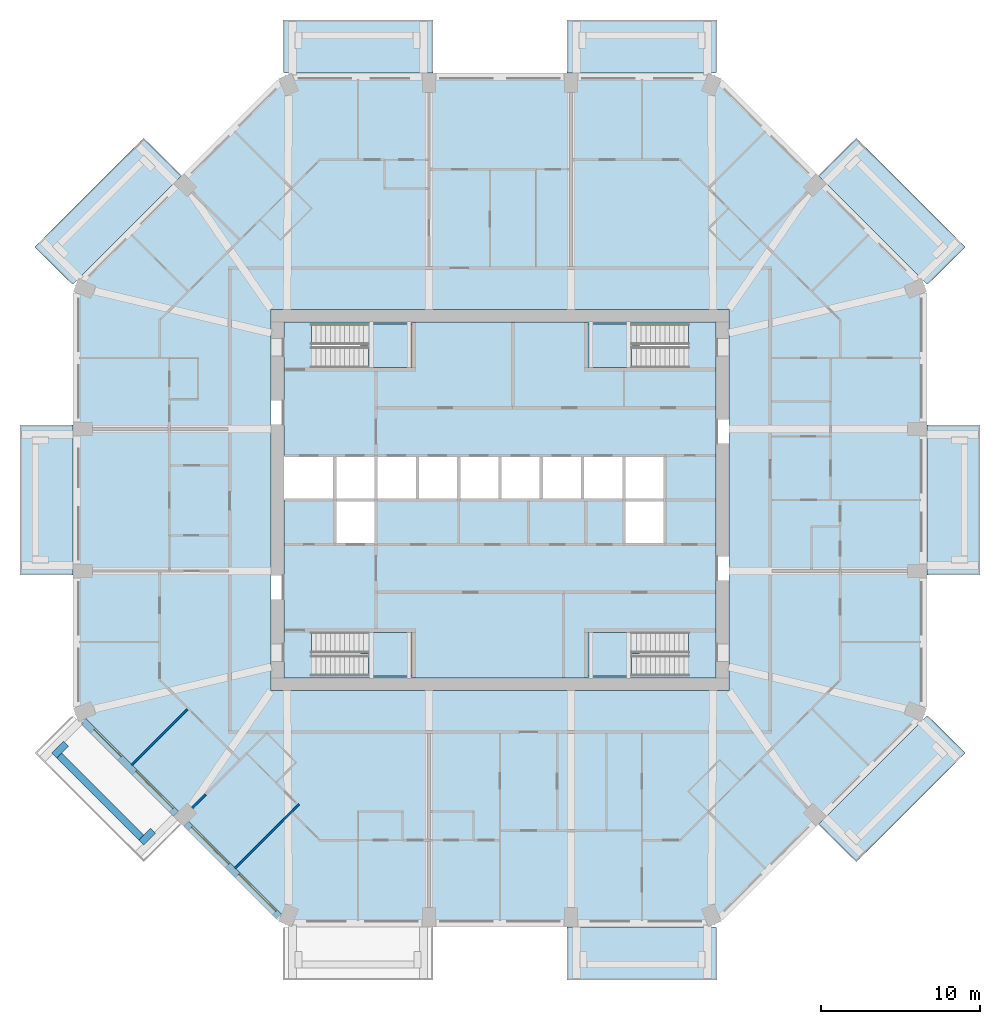
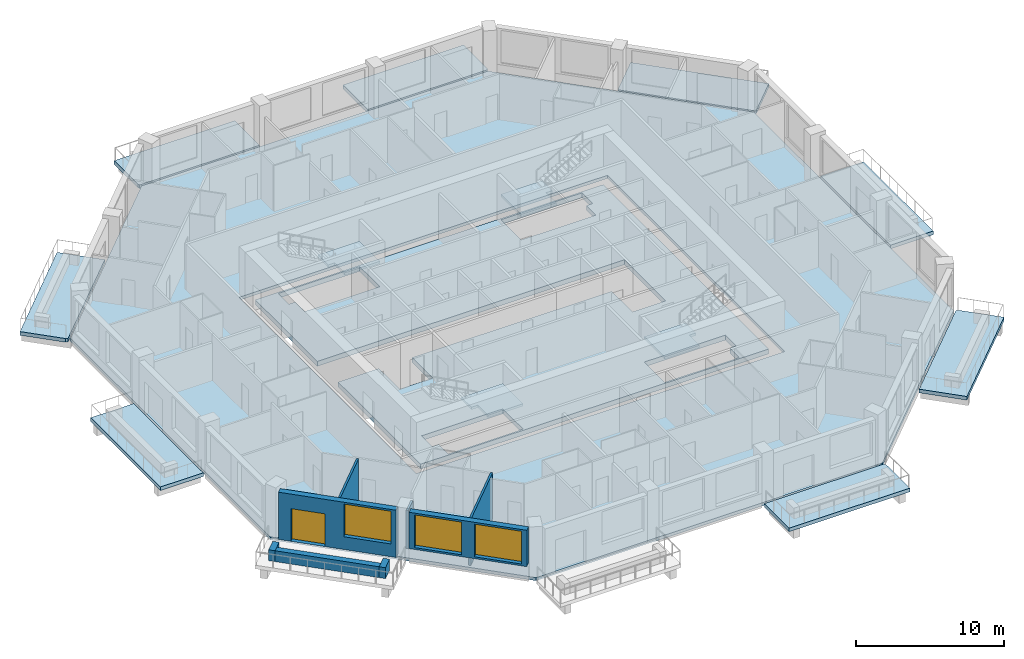
# One storey, part 2 of 13: 14 slabs, 8 walls, 3 windows, 1 door, 4 openings, 4 elements without a shape of their own.
"""IFC4 building model written with IfcOpenShell, lengths in metres."""

from ifc_helpers import new_model, si_unit, direction, frame, frame_2d, origin, place, context, subcontext, project, spatial, polyline, rectangle, outline, extrude, material, layer, layer_set, type_object, element, fill, aggregate, save


model = new_model("IFC4")

# Units and contexts
model_context = context("Model", 3, precision=1e-05, world=origin(), true_north=direction((0.0, 1.0)))
body_context = subcontext(model_context, "Body", "Model", "MODEL_VIEW")
ifc_project = project(units=[si_unit("LENGTHUNIT", "METRE"), si_unit("AREAUNIT", "SQUARE_METRE"), si_unit("VOLUMEUNIT", "CUBIC_METRE"), si_unit("PLANEANGLEUNIT", "RADIAN"), si_unit("MASSUNIT", "GRAM", prefix="KILO")], contexts=[model_context])

# Site, building, storey
site_placement = place(None, origin())
site = spatial("IfcSite", under=ifc_project, at=site_placement, CompositionType="ELEMENT")
building_placement = place(site_placement, origin())
building = spatial("IfcBuilding", under=site, at=building_placement, Name="Msitu Wima Residences", CompositionType="ELEMENT")
storey_placement = place(building_placement, frame((0.0, 0.0, 152.699951171875)))
storey = spatial("IfcBuildingStorey", under=building, at=storey_placement, Name="L35", CompositionType="ELEMENT", Elevation=152.699951171875)

# Slabs
ifc_material_1 = material(Name="Concrete C40/50", Category="concrete")
ifc_layer_1 = layer(ifc_material_1, 0.300048828125)
ifc_layer_set_1 = layer_set([ifc_layer_1], Name="Concrete C40/50")
slab_type_1 = type_object("IfcSlabType", Name="Balcony slab BS300", PredefinedType="FLOOR", material=ifc_layer_set_1)
slab_1_placement = place(storey_placement, frame((0.0, 0.0, -0.300048828125)))
element("IfcSlab", 1, at=slab_1_placement, inside=storey, type_object=slab_type_1, Name="Balcony E1 L35", PredefinedType="FLOOR", context=body_context, shape_type="SweptSolid", body=[
    extrude(outline(polyline([(26.85009765625, 4.0185546875), (26.85009765625, 4.0185546875), (26.85009765625, 4.71875), (30.199951171875, 4.71875), (30.199951171875, -4.71875), (26.85009765625, -4.71875), (26.85009765625, -4.0185546875), (26.85009765625, -4.0185546875), (26.85009765625, 4.0185546875)])), origin(), (0.0, 0.0, 1.0), 0.300048828125),
])
slab_2_placement = place(storey_placement, frame((0.0, 0.0, -0.300048828125)))
element("IfcSlab", 2, at=slab_2_placement, inside=storey, type_object=slab_type_1, Name="Balcony NE0 L35", PredefinedType="FLOOR", context=body_context, shape_type="SweptSolid", body=[
    extrude(outline(polyline([(22.4130859375, 22.766845703125), (29.263671875, 15.916015625), (27.003662109375, 13.656005859375), (26.85009765625, 13.59228515625), (20.04443359375, 20.39794921875), (22.4130859375, 22.766845703125)])), origin(), (0.0, 0.0, 1.0), 0.300048828125),
])
slab_3_placement = place(storey_placement, frame((0.0, 0.0, -0.300048828125)))
element("IfcSlab", 3, at=slab_3_placement, inside=storey, type_object=slab_type_1, Name="Balcony N0 L35", PredefinedType="FLOOR", context=body_context, shape_type="SweptSolid", body=[
    extrude(outline(polyline([(13.105224609375, 26.85009765625), (13.105224609375, 26.85009765625), (4.918701171875, 26.85009765625), (4.918701171875, 26.85009765625), (4.21875, 26.85009765625), (4.21875, 30.199951171875), (13.656005859375, 30.199951171875), (13.656005859375, 27.003662109375), (13.59228515625, 26.85009765625), (13.105224609375, 26.85009765625), (13.105224609375, 26.85009765625)])), origin(), (0.0, 0.0, 1.0), 0.300048828125),
])
slab_4_placement = place(storey_placement, frame((0.0, 0.0, -0.300048828125)))
element("IfcSlab", 4, at=slab_4_placement, inside=storey, type_object=slab_type_1, Name="Balcony N2 L35", PredefinedType="FLOOR", context=body_context, shape_type="SweptSolid", body=[
    extrude(outline(polyline([(-13.105224609375, 26.85009765625), (-13.105224609375, 26.85009765625), (-13.59228515625, 26.85009765625), (-13.656005859375, 27.003662109375), (-13.656005859375, 30.199951171875), (-4.21875, 30.199951171875), (-4.21875, 26.85009765625), (-4.918701171875, 26.85009765625), (-4.918701171875, 26.85009765625), (-13.105224609375, 26.85009765625), (-13.105224609375, 26.85009765625)])), origin(), (0.0, 0.0, 1.0), 0.300048828125),
])
slab_5_placement = place(storey_placement, frame((0.0, 0.0, -0.300048828125)))
element("IfcSlab", 5, at=slab_5_placement, inside=storey, type_object=slab_type_1, Name="Balcony NW1 L35", PredefinedType="FLOOR", context=body_context, shape_type="SweptSolid", body=[
    extrude(outline(polyline([(-29.263671875, 15.916015625), (-22.4130859375, 22.766845703125), (-20.04443359375, 20.39794921875), (-26.85009765625, 13.59228515625), (-27.003662109375, 13.656005859375), (-29.263671875, 15.916015625)])), origin(), (0.0, 0.0, 1.0), 0.300048828125),
])
slab_6_placement = place(storey_placement, frame((0.0, 0.0, -0.300048828125)))
element("IfcSlab", 6, at=slab_6_placement, inside=storey, type_object=slab_type_1, Name="Balcony W1 L35", PredefinedType="FLOOR", context=body_context, shape_type="SweptSolid", body=[
    extrude(outline(polyline([(-26.85009765625, -4.0185546875), (-26.85009765625, -4.0185546875), (-26.85009765625, -4.71875), (-30.199951171875, -4.71875), (-30.199951171875, 4.71875), (-26.85009765625, 4.71875), (-26.85009765625, 4.0185546875), (-26.85009765625, 4.0185546875), (-26.85009765625, -4.0185546875)])), origin(), (0.0, 0.0, 1.0), 0.300048828125),
])
slab_7_placement = place(storey_placement, frame((0.0, 0.0, -0.300048828125)))
element("IfcSlab", 7, at=slab_7_placement, inside=storey, type_object=slab_type_1, Name="Balcony S2 L35", PredefinedType="FLOOR", context=body_context, shape_type="SweptSolid", body=[
    extrude(outline(polyline([(13.105224609375, -26.85009765625), (13.105224609375, -26.85009765625), (13.59228515625, -26.85009765625), (13.656005859375, -27.003662109375), (13.656005859375, -30.199951171875), (4.21875, -30.199951171875), (4.21875, -26.85009765625), (4.918701171875, -26.85009765625), (4.918701171875, -26.85009765625), (13.105224609375, -26.85009765625), (13.105224609375, -26.85009765625)])), origin(), (0.0, 0.0, 1.0), 0.300048828125),
])
slab_8_placement = place(storey_placement, frame((0.0, 0.0, -0.300048828125)))
element("IfcSlab", 8, at=slab_8_placement, inside=storey, type_object=slab_type_1, Name="Balcony SE1 L35", PredefinedType="FLOOR", context=body_context, shape_type="SweptSolid", body=[
    extrude(outline(polyline([(29.263671875, -15.916015625), (22.4130859375, -22.766845703125), (20.04443359375, -20.39794921875), (26.85009765625, -13.59228515625), (27.003662109375, -13.656005859375), (29.263671875, -15.916015625)])), origin(), (0.0, 0.0, 1.0), 0.300048828125),
])
ifc_layer_2 = layer(ifc_material_1, 0.402099609375)
ifc_layer_set_2 = layer_set([ifc_layer_2], Name="Concrete C40/50")
slab_type_2 = type_object("IfcSlabType", Name="Core floor CF402", PredefinedType="FLOOR", material=ifc_layer_set_2)
slab_9_placement = place(storey_placement, frame((0.0, 0.0, -0.40185546875)))
element("IfcSlab", 9, at=slab_9_placement, inside=storey, type_object=slab_type_2, Name="Core floor", PredefinedType="FLOOR", context=body_context, shape_type="SweptSolid", body=[
    extrude(outline(polyline([(-13.60009765625, 11.199951171875), (-13.60009765625, 2.800048828125), (-10.39990234375, 2.800048828125), (-7.800048828125, 2.800048828125), (-5.199951171875, 2.800048828125), (-2.60009765625, 2.800048828125), (0.0, 2.800048828125), (2.60009765625, 2.800048828125), (5.199951171875, 2.800048828125), (7.800048828125, 2.800048828125), (10.39990234375, 2.800048828125), (10.39990234375, 0.0), (10.39990234375, -2.800048828125), (7.800048828125, -2.800048828125), (7.800048828125, 0.0), (5.199951171875, 0.0), (2.60009765625, 0.0), (0.0, 0.0), (-2.60009765625, 0.0), (-5.199951171875, 0.0), (-7.800048828125, 0.0), (-7.800048828125, -2.800048828125), (-10.39990234375, -2.800048828125), (-10.39990234375, 0.0), (-13.60009765625, 0.0), (-13.60009765625, -11.199951171875), (13.60009765625, -11.199951171875), (13.60009765625, 11.199951171875), (-13.60009765625, 11.199951171875)]), holes=[polyline([(-11.375, -11.074951171875), (-11.375, -9.77490234375), (-11.87451171875, -9.77490234375), (-11.87451171875, -8.324951171875), (-5.52490234375, -8.324951171875), (-5.52490234375, -11.074951171875), (-11.375, -11.074951171875)]), polyline([(-11.375, 9.625), (-11.87451171875, 9.625), (-11.87451171875, 11.074951171875), (-5.52490234375, 11.074951171875), (-5.52490234375, 8.324951171875), (-11.375, 8.324951171875), (-11.375, 9.625)]), polyline([(11.375, -9.77490234375), (11.375, -11.074951171875), (5.52490234375, -11.074951171875), (5.52490234375, -8.324951171875), (11.87451171875, -8.324951171875), (11.87451171875, -9.77490234375), (11.375, -9.77490234375)]), polyline([(11.375, 9.625), (11.375, 8.324951171875), (5.52490234375, 8.324951171875), (5.52490234375, 11.074951171875), (11.87451171875, 11.074951171875), (11.87451171875, 9.625), (11.375, 9.625)])]), origin(), (0.0, 0.0, 1.0), 0.40185546875),
])
ifc_layer_3 = layer(ifc_material_1, 0.25)
ifc_layer_set_3 = layer_set([ifc_layer_3], Name="Concrete C40/50")
slab_type_3 = type_object("IfcSlabType", Name="PT flat slab 250 Concrete C40/50", PredefinedType="FLOOR", material=ifc_layer_set_3)
slab_10_placement = place(storey_placement, frame((0.0, 0.0, -0.25)))
element("IfcSlab", 10, at=slab_10_placement, inside=storey, type_object=slab_type_3, Name="Floor slab L35", PredefinedType="FLOOR", context=body_context, shape_type="SweptSolid", body=[
    extrude(outline(polyline([(26.699951171875, -13.5302734375), (13.5302734375, -26.699951171875), (-13.5302734375, -26.699951171875), (-26.699951171875, -13.5302734375), (-26.699951171875, 13.5302734375), (-13.5302734375, 26.699951171875), (13.5302734375, 26.699951171875), (26.699951171875, 13.5302734375), (26.699951171875, -13.5302734375)]), holes=[polyline([(-14.39990234375, -12.0), (14.39990234375, -12.0), (14.39990234375, 12.0), (-14.39990234375, 12.0), (-14.39990234375, -12.0)])]), origin(), (0.0, 0.0, 1.0), 0.25),
])

# Stair, slab
stair_type = type_object("IfcStairType", Name="Exit stair ES1615-130", PredefinedType="HALF_TURN_STAIR", material=ifc_material_1)
stair_1_placement = place(storey_placement, origin())
stair_1 = element("IfcStair", 11, at=stair_1_placement, inside=storey, type_object=stair_type, Name="Exit stair 1", PredefinedType="HALF_TURN_STAIR")
ifc_layer_4 = layer(ifc_material_1, 0.199951171875)
ifc_layer_set_4 = layer_set([ifc_layer_4], Name="Concrete C40/50")
slab_type_4 = type_object("IfcSlabType", Name="Stair landing SL200", PredefinedType="LANDING", material=ifc_layer_set_4)
slab_11_placement = place(storey_placement, frame((0.0, 0.0, 1.900146484375)))
slab_11 = element("IfcSlab", 12, at=slab_11_placement, type_object=slab_type_4, Name="S1 landing 1", PredefinedType="LANDING", context=body_context, shape_type="SweptSolid", body=[
    extrude(outline(polyline([(-5.52490234375, 8.324951171875), (-8.275390625, 8.324951171875), (-8.275390625, 9.699951171875), (-8.77490234375, 9.699951171875), (-8.77490234375, 11.074951171875), (-5.52490234375, 11.074951171875), (-5.52490234375, 8.324951171875)])), origin(), (0.0, 0.0, 1.0), 0.199951171875),
])
aggregate(stair_1, [slab_11])

stair_2_placement = place(storey_placement, origin())
stair_2 = element("IfcStair", 13, at=stair_2_placement, inside=storey, type_object=stair_type, Name="Exit stair 2", PredefinedType="HALF_TURN_STAIR")
slab_12_placement = place(storey_placement, frame((0.0, 0.0, 1.900146484375)))
slab_12 = element("IfcSlab", 14, at=slab_12_placement, type_object=slab_type_4, Name="S2 landing 1", PredefinedType="LANDING", context=body_context, shape_type="SweptSolid", body=[
    extrude(outline(polyline([(-5.52490234375, -11.074951171875), (-8.275390625, -11.074951171875), (-8.275390625, -9.699951171875), (-8.77490234375, -9.699951171875), (-8.77490234375, -8.324951171875), (-5.52490234375, -8.324951171875), (-5.52490234375, -11.074951171875)])), origin(), (0.0, 0.0, 1.0), 0.199951171875),
])
aggregate(stair_2, [slab_12])

stair_3_placement = place(storey_placement, origin())
stair_3 = element("IfcStair", 15, at=stair_3_placement, inside=storey, type_object=stair_type, Name="Exit stair 3", PredefinedType="HALF_TURN_STAIR")
slab_13_placement = place(storey_placement, frame((0.0, 0.0, 1.900146484375)))
slab_13 = element("IfcSlab", 16, at=slab_13_placement, type_object=slab_type_4, Name="S3 landing 1", PredefinedType="LANDING", context=body_context, shape_type="SweptSolid", body=[
    extrude(outline(polyline([(5.52490234375, 8.324951171875), (8.275390625, 8.324951171875), (8.275390625, 9.699951171875), (8.77490234375, 9.699951171875), (8.77490234375, 11.074951171875), (5.52490234375, 11.074951171875), (5.52490234375, 8.324951171875)])), origin(), (0.0, 0.0, 1.0), 0.199951171875),
])
aggregate(stair_3, [slab_13])

stair_4_placement = place(storey_placement, origin())
stair_4 = element("IfcStair", 17, at=stair_4_placement, inside=storey, type_object=stair_type, Name="Exit stair 4", PredefinedType="HALF_TURN_STAIR")
slab_14_placement = place(storey_placement, frame((0.0, 0.0, 1.900146484375)))
slab_14 = element("IfcSlab", 18, at=slab_14_placement, type_object=slab_type_4, Name="S4 landing 1", PredefinedType="LANDING", context=body_context, shape_type="SweptSolid", body=[
    extrude(outline(polyline([(5.52490234375, -11.074951171875), (8.275390625, -11.074951171875), (8.275390625, -9.699951171875), (8.77490234375, -9.699951171875), (8.77490234375, -8.324951171875), (5.52490234375, -8.324951171875), (5.52490234375, -11.074951171875)])), origin(), (0.0, 0.0, 1.0), 0.199951171875),
])
aggregate(stair_4, [slab_14])

# Walls
ifc_material_2 = material(Name="Facing brick")
ifc_layer_5 = layer(ifc_material_2, 0.06494140625, Name="Facing brick")
ifc_layer_6 = layer(ifc_material_1, 0.156005859375, Name="Concrete C40/50")
ifc_material_3 = material(Name="Waterproofing membrane")
ifc_layer_7 = layer(ifc_material_3, 0.00390625, Name="Waterproofing membrane")
ifc_material_4 = material(Name="Planting soil and planting")
ifc_layer_8 = layer(ifc_material_4, 0.22509765625, Name="Planting soil and planting")
ifc_layer_set_5 = layer_set([ifc_layer_5, ifc_layer_6, ifc_layer_7, ifc_layer_8], Name="Concrete C40/50")
wall_type_1 = type_object("IfcWallType", Name="Balcony planter PLANTER PL450", PredefinedType="USERDEFINED", material=ifc_layer_set_5)
wall_1_placement = place(storey_placement, frame((-27.725830078125, -16.0751953125, 0.0), z_axis=(0.0, 0.0, 1.0), x_axis=(0.707106781187, -0.707106781187, 0.0)))
element("IfcWall", 19, at=wall_1_placement, inside=storey, type_object=wall_type_1, Name="Balcony planter SW0 L35", ObjectType="PLANTER", PredefinedType="USERDEFINED", context=body_context, shape_type="SweptSolid", body=[
    extrude(rectangle(XDim=7.288330078125, YDim=0.449951171875, at=frame_2d((3.64404296875, 0.0))), origin(), (0.0, 0.0, 1.0), 0.900146484375),
])
for number, where, z_axis, x_axis, name in (
    (20, (-27.301513671875, -15.332763671875, 0.0), (0.0, 0.0, 1.0), (-0.707106781187, -0.707106781187, 0.0), "Balcony planter SW0 L35"),
    (21, (-21.829833984375, -20.804443359375, 0.0), (0.0, 0.0, 1.0), (-0.707106781187, -0.707106781187, 0.0), "Balcony planter SW0 L35"),
):
    element("IfcWall", number, at=place(storey_placement, frame(where, z_axis=z_axis, x_axis=x_axis)), inside=storey, type_object=wall_type_1, Name=name, ObjectType="PLANTER", PredefinedType="USERDEFINED", context=body_context, shape_type="SweptSolid", body=[
        extrude(rectangle(XDim=1.050048828125, YDim=0.449951171875, at=frame_2d((0.52490234375, 0.0))), origin(), (0.0, 0.0, 1.0), 0.900146484375),
    ])

# Wall, openings, door, window
ifc_material_5 = material(Name="Brick (red buff mix)", Category="masonry")
ifc_layer_9 = layer(ifc_material_5, 0.449951171875)
ifc_layer_set_6 = layer_set([ifc_layer_9], Name="Brick (red buff mix)")
wall_type_2 = type_object("IfcWallType", Name="Brick infill wall BW450", PredefinedType="SOLIDWALL", material=ifc_layer_set_6)
wall_2_placement = place(storey_placement, frame((-26.214599609375, -13.909423828125, 0.0), z_axis=(0.0, 0.0, 1.0), x_axis=(0.707106781187, -0.707106781187, 0.0)))
wall_2 = element("IfcWall", 22, at=wall_2_placement, inside=storey, type_object=wall_type_2, Name="Brick infill wall L35 SW0", PredefinedType="SOLIDWALL", context=body_context, shape_type="SweptSolid", body=[
    extrude(rectangle(XDim=8.251220703125, YDim=0.449951171875, at=frame_2d((4.12548828125, 0.0))), origin(), (0.0, 0.0, 1.0), 3.900146484375),
])
opening_1_placement = place(wall_2_placement, frame((0.86279296875, 0.0, 0.0)))
opening_1 = element("IfcOpeningElement", 23, at=opening_1_placement, cuts=wall_2, Name="Opening D34-35.009", PredefinedType="OPENING", context=body_context, shape_type="SweptSolid", body=[
    extrude(rectangle(XDim=2.39990234375, YDim=2.699951171875, at=frame_2d((1.199951171875, 1.35009765625))), frame((0.0, 0.23486328125, 0.0), z_axis=(0.0, -1.0, 0.0), x_axis=(1.0, 0.0, 0.0)), (0.0, 0.0, 1.0), 0.469970703125),
])
opening_2_placement = place(wall_2_placement, frame((4.57568359375, 0.0, 1.050048828125)))
opening_2 = element("IfcOpeningElement", 24, at=opening_2_placement, cuts=wall_2, Name="Opening W34-35.023", PredefinedType="OPENING", context=body_context, shape_type="SweptSolid", body=[
    extrude(rectangle(XDim=3.300048828125, YDim=2.699951171875, at=frame_2d((1.64990234375, 1.35009765625))), frame((0.0, 0.23486328125, 0.0), z_axis=(0.0, -1.0, 0.0), x_axis=(1.0, 0.0, 0.0)), (0.0, 0.0, 1.0), 0.469970703125),
])
ifc_material_6 = material(Name="Anodised aluminium, bronze finish, clear low-emissivity double glazing", Category="aluminium")
door_type = type_object("IfcDoorType", Name="Balcony door D2400x2700", OperationType="SLIDING_TO_LEFT", PredefinedType="DOOR", material=ifc_material_6)
door_placement = place(opening_1_placement, origin())
door = element("IfcDoor", 25, at=door_placement, inside=storey, type_object=door_type, Name="Balcony door L35 SW0", OperationType="SINGLE_SWING_LEFT", OverallHeight=2.699951171875, OverallWidth=2.39990234375, PredefinedType="DOOR", context=body_context, shape_type="SweptSolid", body=[
    extrude(rectangle(XDim=2.39990234375, YDim=2.699951171875, at=frame_2d((1.199951171875, 1.35009765625))), frame((0.0, 0.1298828125, 0.0), z_axis=(0.0, -1.0, 0.0), x_axis=(1.0, 0.0, 0.0)), (0.0, 0.0, 1.0), 0.050048828125),
])
fill(opening_1, door)
window_type = type_object("IfcWindowType", Name="Window W3300x2700", PartitioningType="DOUBLE_PANEL_VERTICAL", PredefinedType="WINDOW", material=ifc_material_6)
window_1_placement = place(opening_2_placement, origin())
window_1 = element("IfcWindow", 26, at=window_1_placement, inside=storey, type_object=window_type, Name="Window L35 SW0.2", OverallHeight=2.699951171875, OverallWidth=3.300048828125, PartitioningType="SINGLE_PANEL", PredefinedType="WINDOW", context=body_context, shape_type="SweptSolid", body=[
    extrude(rectangle(XDim=3.300048828125, YDim=2.699951171875, at=frame_2d((1.64990234375, 1.35009765625))), frame((0.0, 0.135009765625, 0.0), z_axis=(0.0, -1.0, 0.0), x_axis=(1.0, 0.0, 0.0)), (0.0, 0.0, 1.0), 0.06005859375),
])
fill(opening_2, window_1)

# Wall, openings, windows
wall_3_placement = place(storey_placement, frame((-19.743896484375, -20.380126953125, 0.900146484375), z_axis=(0.0, 0.0, 1.0), x_axis=(0.707106781187, -0.707106781187, 0.0)))
wall_3 = element("IfcWall", 27, at=wall_3_placement, inside=storey, type_object=wall_type_2, Name="Brick infill wall L35 SW1", PredefinedType="SOLIDWALL", context=body_context, shape_type="SweptSolid", body=[
    extrude(rectangle(XDim=8.251220703125, YDim=0.449951171875, at=frame_2d((4.12548828125, 0.0))), origin(), (0.0, 0.0, 1.0), 3.0),
])
opening_3_placement = place(wall_3_placement, frame((0.37548828125, 0.0, 0.14990234375)))
opening_3 = element("IfcOpeningElement", 28, at=opening_3_placement, cuts=wall_3, Name="Opening W34-35.024", PredefinedType="OPENING", context=body_context, shape_type="SweptSolid", body=[
    extrude(rectangle(XDim=3.300048828125, YDim=2.699951171875, at=frame_2d((1.64990234375, 1.35009765625))), frame((0.0, 0.23486328125, 0.0), z_axis=(0.0, -1.0, 0.0), x_axis=(1.0, 0.0, 0.0)), (0.0, 0.0, 1.0), 0.469970703125),
])
opening_4_placement = place(wall_3_placement, frame((4.57568359375, 0.0, 0.14990234375)))
opening_4 = element("IfcOpeningElement", 29, at=opening_4_placement, cuts=wall_3, Name="Opening W34-35.025", PredefinedType="OPENING", context=body_context, shape_type="SweptSolid", body=[
    extrude(rectangle(XDim=3.300048828125, YDim=2.699951171875, at=frame_2d((1.64990234375, 1.35009765625))), frame((0.0, 0.23486328125, 0.0), z_axis=(0.0, -1.0, 0.0), x_axis=(1.0, 0.0, 0.0)), (0.0, 0.0, 1.0), 0.469970703125),
])
window_2_placement = place(opening_3_placement, origin())
window_2 = element("IfcWindow", 30, at=window_2_placement, inside=storey, type_object=window_type, Name="Window L35 SW1.1", OverallHeight=2.699951171875, OverallWidth=3.300048828125, PartitioningType="SINGLE_PANEL", PredefinedType="WINDOW", context=body_context, shape_type="SweptSolid", body=[
    extrude(rectangle(XDim=3.300048828125, YDim=2.699951171875, at=frame_2d((1.64990234375, 1.35009765625))), frame((0.0, 0.135009765625, 0.0), z_axis=(0.0, -1.0, 0.0), x_axis=(1.0, 0.0, 0.0)), (0.0, 0.0, 1.0), 0.06005859375),
])
fill(opening_3, window_2)
window_3_placement = place(opening_4_placement, origin())
window_3 = element("IfcWindow", 31, at=window_3_placement, inside=storey, type_object=window_type, Name="Window L35 SW1.2", OverallHeight=2.699951171875, OverallWidth=3.300048828125, PartitioningType="SINGLE_PANEL", PredefinedType="WINDOW", context=body_context, shape_type="SweptSolid", body=[
    extrude(rectangle(XDim=3.300048828125, YDim=2.699951171875, at=frame_2d((1.64990234375, 1.35009765625))), frame((0.0, 0.135009765625, 0.0), z_axis=(0.0, -1.0, 0.0), x_axis=(1.0, 0.0, 0.0)), (0.0, 0.0, 1.0), 0.06005859375),
])
fill(opening_4, window_3)

# Walls
ifc_material_7 = material(Name="Plaster")
ifc_layer_10 = layer(ifc_material_7, 0.011962890625, Name="Plaster")
ifc_material_8 = material(Name="Concrete blockwork", Category="masonry")
ifc_layer_11 = layer(ifc_material_8, 0.1259765625, Name="Concrete blockwork")
ifc_layer_12 = layer(ifc_material_7, 0.011962890625, Name="Plaster")
ifc_layer_set_7 = layer_set([ifc_layer_10, ifc_layer_11, ifc_layer_12], Name="Concrete blockwork")
wall_type_3 = type_object("IfcWallType", Name="Partition PW150", PredefinedType="PARTITIONING", material=ifc_layer_set_7)
wall_4_placement = place(storey_placement, frame((-23.1904296875, -16.693359375, 0.0), z_axis=(0.0, 0.0, 1.0), x_axis=(0.707106781187, 0.707106781187, 0.0)))
element("IfcWall", 32, at=wall_4_placement, inside=storey, type_object=wall_type_3, Name="Partition", PredefinedType="PARTITIONING", context=body_context, shape_type="SweptSolid", body=[
    extrude(rectangle(XDim=4.980224609375, YDim=0.14990234375, at=frame_2d((2.490234375, 0.0))), origin(), (0.0, 0.0, 1.0), 3.798095703125),
])
wall_5_placement = place(storey_placement, frame((-19.37255859375, -19.37255859375, 0.0), z_axis=(0.0, 0.0, 1.0), x_axis=(0.707106781187, 0.707106781187, 0.0)))
element("IfcWall", 33, at=wall_5_placement, inside=storey, type_object=wall_type_3, Name="Partition", PredefinedType="PARTITIONING", context=body_context, shape_type="SweptSolid", body=[
    extrude(rectangle(XDim=1.209228515625, YDim=0.14990234375, at=frame_2d((0.6044921875, 0.0))), origin(), (0.0, 0.0, 1.0), 3.150146484375),
])
wall_6_placement = place(storey_placement, frame((-16.693359375, -23.1904296875, 0.0), z_axis=(0.0, 0.0, 1.0), x_axis=(0.707106781187, 0.707106781187, 0.0)))
element("IfcWall", 34, at=wall_6_placement, inside=storey, type_object=wall_type_3, Name="Partition", PredefinedType="PARTITIONING", context=body_context, shape_type="SweptSolid", body=[
    extrude(rectangle(XDim=5.72998046875, YDim=0.14990234375, at=frame_2d((2.864990234375, 0.0))), origin(), (0.0, 0.0, 1.0), 3.798095703125),
])

save(model, "model.ifc")
